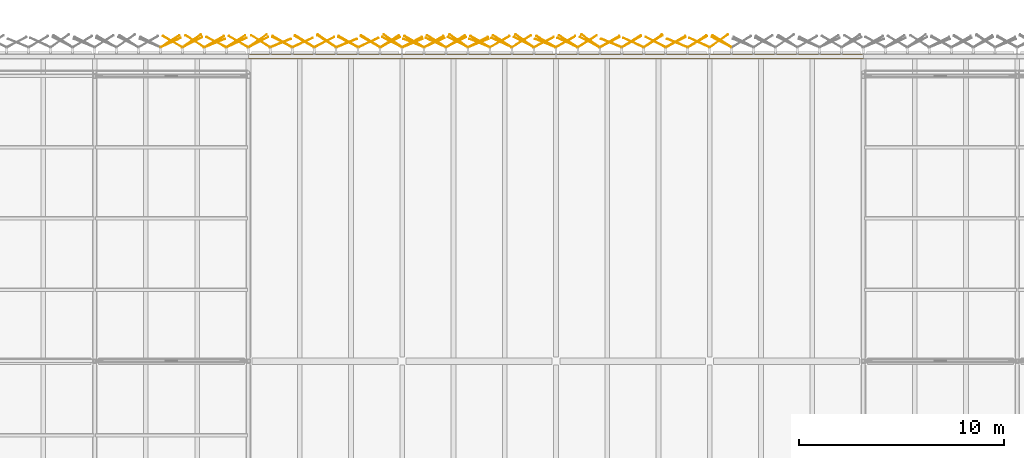
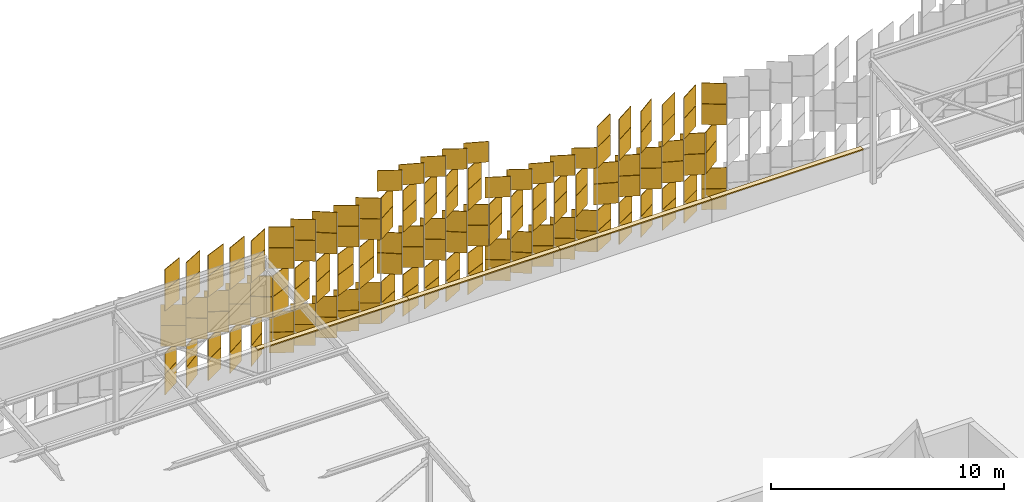
# One storey, part 479 of 483: 160 coverings.
"""IFC4 building model written with IfcOpenShell, lengths in metres."""

from ifc_helpers import new_model, si_unit, direction, frame, origin, origin_2d, place, context, subcontext, project, spatial, polyline, rectangle, outline, extrude, material, layer, layer_set, type_object, element, save


model = new_model("IFC4")

# Units and contexts
model_context = context("Model", 3, precision=1e-05, world=origin(), true_north=direction((0.0, 1.0)))
body_context = subcontext(model_context, "Body", "Model", "MODEL_VIEW")
ifc_project = project(units=[si_unit("LENGTHUNIT", "METRE"), si_unit("AREAUNIT", "SQUARE_METRE"), si_unit("VOLUMEUNIT", "CUBIC_METRE"), si_unit("PLANEANGLEUNIT", "RADIAN"), si_unit("MASSUNIT", "GRAM", prefix="KILO")], contexts=[model_context])

# Site, building, storey
site_placement = place(None, origin())
site = spatial("IfcSite", under=ifc_project, at=site_placement, CompositionType="ELEMENT")
building_placement = place(site_placement, origin())
building = spatial("IfcBuilding", under=site, at=building_placement, Name="Parallax Yard Mobility Hub", CompositionType="ELEMENT")
storey_placement = place(building_placement, frame((0.0, 0.0, 13.199951171875)))
storey = spatial("IfcBuildingStorey", under=building, at=storey_placement, Name="L04", CompositionType="ELEMENT", Elevation=13.199951171875)

# Coverings
ifc_material_1 = material(Name="Concrete fc' 35 MPa", Category="concrete")
ifc_layer_1 = layer(ifc_material_1, 0.06005859375)
ifc_layer_set_1 = layer_set([ifc_layer_1], Name="Parapet coping, Concrete fc' 35 MPa precast, 240")
covering_type_1 = type_object("IfcCoveringType", Name="Parapet coping, Concrete fc' 35 MPa precast, 240", PredefinedType="USERDEFINED", material=ifc_layer_set_1)
covering_1_placement = place(storey_placement, frame((0.0, 0.0, 1.199951171875)))
element("IfcCovering", 1, at=covering_1_placement, inside=storey, type_object=covering_type_1, Name="Parapet coping run 4 part 40", ObjectType="COPING", PredefinedType="USERDEFINED", context=body_context, shape_type="SweptSolid", body=[
    extrude(outline(polyline([(149.999755859375, 142.23388671875), (149.999755859375, 142.47412109375), (142.499755859375, 142.47412109375), (142.499755859375, 142.23388671875), (149.999755859375, 142.23388671875)])), origin(), (0.0, 0.0, 1.0), 0.06005859375),
])
covering_2_placement = place(storey_placement, frame((0.0, 0.0, 1.199951171875)))
element("IfcCovering", 2, at=covering_2_placement, inside=storey, type_object=covering_type_1, Name="Parapet coping run 4 part 41", ObjectType="COPING", PredefinedType="USERDEFINED", context=body_context, shape_type="SweptSolid", body=[
    extrude(outline(polyline([(142.499755859375, 142.23388671875), (142.499755859375, 142.47412109375), (134.999755859375, 142.47412109375), (134.999755859375, 142.23388671875), (142.499755859375, 142.23388671875)])), origin(), (0.0, 0.0, 1.0), 0.06005859375),
])
covering_3_placement = place(storey_placement, frame((0.0, 0.0, 1.199951171875)))
element("IfcCovering", 3, at=covering_3_placement, inside=storey, type_object=covering_type_1, Name="Parapet coping run 4 part 42", ObjectType="COPING", PredefinedType="USERDEFINED", context=body_context, shape_type="SweptSolid", body=[
    extrude(outline(polyline([(134.999755859375, 142.23388671875), (134.999755859375, 142.47412109375), (127.499755859375, 142.47412109375), (127.499755859375, 142.23388671875), (134.999755859375, 142.23388671875)])), origin(), (0.0, 0.0, 1.0), 0.06005859375),
])
covering_4_placement = place(storey_placement, frame((0.0, 0.0, 1.199951171875)))
element("IfcCovering", 4, at=covering_4_placement, inside=storey, type_object=covering_type_1, Name="Parapet coping run 4 part 43", ObjectType="COPING", PredefinedType="USERDEFINED", context=body_context, shape_type="SweptSolid", body=[
    extrude(outline(polyline([(127.499755859375, 142.23388671875), (127.499755859375, 142.47412109375), (119.999755859375, 142.47412109375), (119.999755859375, 142.23388671875), (127.499755859375, 142.23388671875)])), origin(), (0.0, 0.0, 1.0), 0.06005859375),
])
ifc_material_2 = material(Name="Aluminium panel, silver anodised", Category="aluminium")
ifc_layer_2 = layer(ifc_material_2, 0.030029296875)
ifc_layer_set_2 = layer_set([ifc_layer_2], Name="Skin panel 22.5 degree turn, silver anodised")
covering_type_2 = type_object("IfcCoveringType", Name="Skin panel 22.5 degree turn, silver anodised", PredefinedType="CLADDING", material=ifc_layer_set_2)
for number, where, z_axis, x_axis, name in (
    (5, (140.912841796875, 143.012939453125, 2.219970703125), (0.0, 0.0, 1.0), (-0.923879532511, 0.382683432365, 0.0), "Skin panel 22.5 bay 55.2 row 3 level L04"),
    (6, (140.912841796875, 143.012939453125, 3.320068359375), (0.0, 0.0, 1.0), (-0.923879532511, 0.382683432365, 0.0), "Skin panel 22.5 bay 55.2 row 4 level L04"),
    (7, (137.697998046875, 143.012939453125, 2.219970703125), (0.0, 0.0, 1.0), (-0.923879532511, 0.382683432365, 0.0), "Skin panel 22.5 bay 55.5 row 3 level L04"),
    (8, (137.697998046875, 143.012939453125, 3.320068359375), (0.0, 0.0, 1.0), (-0.923879532511, 0.382683432365, 0.0), "Skin panel 22.5 bay 55.5 row 4 level L04"),
    (9, (134.4833984375, 143.012939453125, 4.419921875), (0.0, 0.0, 1.0), (-0.923879532511, 0.382683432365, 0.0), "Skin panel 22.5 bay 56.1 row 5 level L04"),
    (10, (131.22509765625, 143.012939453125, 0.02001953125), (0.0, 0.0, 1.0), (0.923879532511, 0.382683432365, 0.0), "Skin panel 22.5 bay 56.4 row 1 level L04"),
    (11, (131.22509765625, 143.012939453125, 1.1201171875), (0.0, 0.0, 1.0), (0.923879532511, 0.382683432365, 0.0), "Skin panel 22.5 bay 56.4 row 2 level L04"),
    (12, (131.268798828125, 143.012939453125, 6.6201171875), (0.0, 0.0, 1.0), (-0.923879532511, 0.382683432365, 0.0), "Skin panel 22.5 bay 56.4 row 7 level L04"),
    (13, (128.010498046875, 143.012939453125, 0.02001953125), (0.0, 0.0, 1.0), (0.923879532511, 0.382683432365, 0.0), "Skin panel 22.5 bay 56.7 row 1 level L04"),
    (14, (128.010498046875, 143.012939453125, 1.1201171875), (0.0, 0.0, 1.0), (0.923879532511, 0.382683432365, 0.0), "Skin panel 22.5 bay 56.7 row 2 level L04"),
    (15, (128.05419921875, 143.012939453125, 6.6201171875), (0.0, 0.0, 1.0), (-0.923879532511, 0.382683432365, 0.0), "Skin panel 22.5 bay 56.7 row 7 level L04"),
    (16, (124.7958984375, 143.012939453125, 2.219970703125), (0.0, 0.0, 1.0), (0.923879532511, 0.382683432365, 0.0), "Skin panel 22.5 bay 57.3 row 3 level L04"),
    (17, (124.7958984375, 143.012939453125, 3.320068359375), (0.0, 0.0, 1.0), (0.923879532511, 0.382683432365, 0.0), "Skin panel 22.5 bay 57.3 row 4 level L04"),
    (18, (121.581298828125, 143.012939453125, 2.219970703125), (0.0, 0.0, 1.0), (0.923879532511, 0.382683432365, 0.0), "Skin panel 22.5 bay 57.6 row 3 level L04"),
    (19, (121.581298828125, 143.012939453125, 3.320068359375), (0.0, 0.0, 1.0), (0.923879532511, 0.382683432365, 0.0), "Skin panel 22.5 bay 57.6 row 4 level L04"),
    (20, (118.366455078125, 143.012939453125, 4.419921875), (0.0, 0.0, 1.0), (0.923879532511, 0.382683432365, 0.0), "Skin panel 22.5 bay 58.2 row 5 level L04"),
    (21, (118.366455078125, 143.012939453125, 5.52001953125), (0.0, 0.0, 1.0), (0.923879532511, 0.382683432365, 0.0), "Skin panel 22.5 bay 58.2 row 6 level L04"),
):
    element("IfcCovering", number, at=place(storey_placement, frame(where, z_axis=z_axis, x_axis=x_axis)), inside=storey, type_object=covering_type_2, Name=name, ObjectType="SCREEN", PredefinedType="CLADDING", context=body_context, shape_type="SweptSolid", body=[
        extrude(rectangle(XDim=1.080078125, YDim=0.030029296875, at=origin_2d()), origin(), (0.0, 0.0, 1.0), 1.080078125),
    ])
ifc_layer_3 = layer(ifc_material_2, 0.030029296875)
ifc_layer_set_3 = layer_set([ifc_layer_3], Name="Skin panel 25 degree turn, silver anodised")
covering_type_3 = type_object("IfcCoveringType", Name="Skin panel 25 degree turn, silver anodised", PredefinedType="CLADDING", material=ifc_layer_set_3)
for number, where, z_axis, x_axis, name in (
    (22, (141.994140625, 143.03515625, 2.219970703125), (0.0, 0.0, 1.0), (-0.906307787037, 0.422618261741, 0.0), "Skin panel 25 bay 55.1 row 3 level L04"),
    (23, (141.994140625, 143.03515625, 3.320068359375), (0.0, 0.0, 1.0), (-0.906307787037, 0.422618261741, 0.0), "Skin panel 25 bay 55.1 row 4 level L04"),
    (24, (138.779296875, 143.03515625, 2.219970703125), (0.0, 0.0, 1.0), (-0.906307787037, 0.422618261741, 0.0), "Skin panel 25 bay 55.4 row 3 level L04"),
    (25, (138.779296875, 143.03515625, 3.320068359375), (0.0, 0.0, 1.0), (-0.906307787037, 0.422618261741, 0.0), "Skin panel 25 bay 55.4 row 4 level L04"),
    (26, (135.564697265625, 143.03515625, 4.419921875), (0.0, 0.0, 1.0), (-0.906307787037, 0.422618261741, 0.0), "Skin panel 25 bay 55.7 row 5 level L04"),
    (27, (132.35009765625, 143.03515625, 4.419921875), (0.0, 0.0, 1.0), (-0.906307787037, 0.422618261741, 0.0), "Skin panel 25 bay 56.3 row 5 level L04"),
    (28, (129.072265625, 143.03515625, 0.02001953125), (0.0, 0.0, 1.0), (0.906307787037, 0.422618261741, 0.0), "Skin panel 25 bay 56.6 row 1 level L04"),
    (29, (129.072265625, 143.03515625, 1.1201171875), (0.0, 0.0, 1.0), (0.906307787037, 0.422618261741, 0.0), "Skin panel 25 bay 56.6 row 2 level L04"),
    (30, (129.135498046875, 143.03515625, 6.6201171875), (0.0, 0.0, 1.0), (-0.906307787037, 0.422618261741, 0.0), "Skin panel 25 bay 56.6 row 7 level L04"),
    (31, (125.857666015625, 143.03515625, 2.219970703125), (0.0, 0.0, 1.0), (0.906307787037, 0.422618261741, 0.0), "Skin panel 25 bay 57.2 row 3 level L04"),
    (32, (125.857666015625, 143.03515625, 3.320068359375), (0.0, 0.0, 1.0), (0.906307787037, 0.422618261741, 0.0), "Skin panel 25 bay 57.2 row 4 level L04"),
    (33, (122.64306640625, 143.03515625, 2.219970703125), (0.0, 0.0, 1.0), (0.906307787037, 0.422618261741, 0.0), "Skin panel 25 bay 57.5 row 3 level L04"),
    (34, (122.64306640625, 143.03515625, 3.320068359375), (0.0, 0.0, 1.0), (0.906307787037, 0.422618261741, 0.0), "Skin panel 25 bay 57.5 row 4 level L04"),
    (35, (119.42822265625, 143.03515625, 4.419921875), (0.0, 0.0, 1.0), (0.906307787037, 0.422618261741, 0.0), "Skin panel 25 bay 58.1 row 5 level L04"),
    (36, (119.42822265625, 143.03515625, 5.52001953125), (0.0, 0.0, 1.0), (0.906307787037, 0.422618261741, 0.0), "Skin panel 25 bay 58.1 row 6 level L04"),
    (37, (116.213623046875, 143.03515625, 4.419921875), (0.0, 0.0, 1.0), (0.906307787037, 0.422618261741, 0.0), "Skin panel 25 bay 58.4 row 5 level L04"),
    (38, (116.213623046875, 143.03515625, 5.52001953125), (0.0, 0.0, 1.0), (0.906307787037, 0.422618261741, 0.0), "Skin panel 25 bay 58.4 row 6 level L04"),
):
    element("IfcCovering", number, at=place(storey_placement, frame(where, z_axis=z_axis, x_axis=x_axis)), inside=storey, type_object=covering_type_3, Name=name, ObjectType="SCREEN", PredefinedType="CLADDING", context=body_context, shape_type="SweptSolid", body=[
        extrude(rectangle(XDim=1.080078125, YDim=0.030029296875, at=origin_2d()), origin(), (0.0, 0.0, 1.0), 1.080078125),
    ])
ifc_layer_4 = layer(ifc_material_2, 0.030029296875)
ifc_layer_set_4 = layer_set([ifc_layer_4], Name="Skin panel 27.5 degree turn, silver anodised")
covering_type_4 = type_object("IfcCoveringType", Name="Skin panel 27.5 degree turn, silver anodised", PredefinedType="CLADDING", material=ifc_layer_set_4)
for number, where, z_axis, x_axis, name in (
    (39, (143.076416015625, 143.056884765625, 0.02001953125), (0.0, 0.0, 1.0), (-0.887010833178, 0.461748613235, 0.0), "Skin panel 27.5 bay 54.7 row 1 level L04"),
    (40, (143.076416015625, 143.056884765625, 1.1201171875), (0.0, 0.0, 1.0), (-0.887010833178, 0.461748613235, 0.0), "Skin panel 27.5 bay 54.7 row 2 level L04"),
    (41, (140.8486328125, 143.056884765625, 0.02001953125), (0.0, 0.0, 1.0), (0.887010833178, 0.461748613235, 0.0), "Skin panel 27.5 bay 55.2 row 1 level L04"),
    (42, (140.8486328125, 143.056884765625, 1.1201171875), (0.0, 0.0, 1.0), (0.887010833178, 0.461748613235, 0.0), "Skin panel 27.5 bay 55.2 row 2 level L04"),
    (43, (139.86181640625, 143.056884765625, 2.219970703125), (0.0, 0.0, 1.0), (-0.887010833178, 0.461748613235, 0.0), "Skin panel 27.5 bay 55.3 row 3 level L04"),
    (44, (139.86181640625, 143.056884765625, 3.320068359375), (0.0, 0.0, 1.0), (-0.887010833178, 0.461748613235, 0.0), "Skin panel 27.5 bay 55.3 row 4 level L04"),
    (45, (137.634033203125, 143.056884765625, 0.02001953125), (0.0, 0.0, 1.0), (0.887010833178, 0.461748613235, 0.0), "Skin panel 27.5 bay 55.5 row 1 level L04"),
    (46, (137.634033203125, 143.056884765625, 1.1201171875), (0.0, 0.0, 1.0), (0.887010833178, 0.461748613235, 0.0), "Skin panel 27.5 bay 55.5 row 2 level L04"),
    (47, (136.64697265625, 143.056884765625, 4.419921875), (0.0, 0.0, 1.0), (-0.887010833178, 0.461748613235, 0.0), "Skin panel 27.5 bay 55.6 row 5 level L04"),
    (48, (134.41943359375, 143.056884765625, 2.219970703125), (0.0, 0.0, 1.0), (0.887010833178, 0.461748613235, 0.0), "Skin panel 27.5 bay 56.1 row 3 level L04"),
    (49, (134.41943359375, 143.056884765625, 3.320068359375), (0.0, 0.0, 1.0), (0.887010833178, 0.461748613235, 0.0), "Skin panel 27.5 bay 56.1 row 4 level L04"),
    (50, (133.432373046875, 143.056884765625, 4.419921875), (0.0, 0.0, 1.0), (-0.887010833178, 0.461748613235, 0.0), "Skin panel 27.5 bay 56.2 row 5 level L04"),
    (51, (131.20458984375, 143.056884765625, 4.419921875), (0.0, 0.0, 1.0), (0.887010833178, 0.461748613235, 0.0), "Skin panel 27.5 bay 56.4 row 5 level L04"),
    (52, (131.20458984375, 143.056884765625, 5.52001953125), (0.0, 0.0, 1.0), (0.887010833178, 0.461748613235, 0.0), "Skin panel 27.5 bay 56.4 row 6 level L04"),
    (53, (130.133056640625, 143.056884765625, 0.02001953125), (0.0, 0.0, 1.0), (0.887010833178, 0.461748613235, 0.0), "Skin panel 27.5 bay 56.5 row 1 level L04"),
    (54, (130.133056640625, 143.056884765625, 1.1201171875), (0.0, 0.0, 1.0), (0.887010833178, 0.461748613235, 0.0), "Skin panel 27.5 bay 56.5 row 2 level L04"),
    (55, (130.2177734375, 143.056884765625, 6.6201171875), (0.0, 0.0, 1.0), (-0.887010833178, 0.461748613235, 0.0), "Skin panel 27.5 bay 56.5 row 7 level L04"),
    (56, (127.989990234375, 143.056884765625, 4.419921875), (0.0, 0.0, 1.0), (0.887010833178, 0.461748613235, 0.0), "Skin panel 27.5 bay 56.7 row 5 level L04"),
    (57, (127.989990234375, 143.056884765625, 5.52001953125), (0.0, 0.0, 1.0), (0.887010833178, 0.461748613235, 0.0), "Skin panel 27.5 bay 56.7 row 6 level L04"),
    (58, (126.91845703125, 143.056884765625, 0.02001953125), (0.0, 0.0, 1.0), (0.887010833178, 0.461748613235, 0.0), "Skin panel 27.5 bay 57.1 row 1 level L04"),
    (59, (126.91845703125, 143.056884765625, 1.1201171875), (0.0, 0.0, 1.0), (0.887010833178, 0.461748613235, 0.0), "Skin panel 27.5 bay 57.1 row 2 level L04"),
    (60, (127.003173828125, 143.056884765625, 6.6201171875), (0.0, 0.0, 1.0), (-0.887010833178, 0.461748613235, 0.0), "Skin panel 27.5 bay 57.1 row 7 level L04"),
    (61, (124.85986328125, 143.056884765625, 0.02001953125), (0.0, 0.0, 1.0), (-0.887010833178, 0.461748613235, 0.0), "Skin panel 27.5 bay 57.3 row 1 level L04"),
    (62, (124.85986328125, 143.056884765625, 1.1201171875), (0.0, 0.0, 1.0), (-0.887010833178, 0.461748613235, 0.0), "Skin panel 27.5 bay 57.3 row 2 level L04"),
    (63, (123.703857421875, 143.056884765625, 2.219970703125), (0.0, 0.0, 1.0), (0.887010833178, 0.461748613235, 0.0), "Skin panel 27.5 bay 57.4 row 3 level L04"),
    (64, (123.703857421875, 143.056884765625, 3.320068359375), (0.0, 0.0, 1.0), (0.887010833178, 0.461748613235, 0.0), "Skin panel 27.5 bay 57.4 row 4 level L04"),
    (65, (121.645263671875, 143.056884765625, 0.02001953125), (0.0, 0.0, 1.0), (-0.887010833178, 0.461748613235, 0.0), "Skin panel 27.5 bay 57.6 row 1 level L04"),
    (66, (121.645263671875, 143.056884765625, 1.1201171875), (0.0, 0.0, 1.0), (-0.887010833178, 0.461748613235, 0.0), "Skin panel 27.5 bay 57.6 row 2 level L04"),
    (67, (120.489013671875, 143.056884765625, 4.419921875), (0.0, 0.0, 1.0), (0.887010833178, 0.461748613235, 0.0), "Skin panel 27.5 bay 57.7 row 5 level L04"),
    (68, (120.489013671875, 143.056884765625, 5.52001953125), (0.0, 0.0, 1.0), (0.887010833178, 0.461748613235, 0.0), "Skin panel 27.5 bay 57.7 row 6 level L04"),
    (69, (118.4306640625, 143.056884765625, 2.219970703125), (0.0, 0.0, 1.0), (-0.887010833178, 0.461748613235, 0.0), "Skin panel 27.5 bay 58.2 row 3 level L04"),
    (70, (118.4306640625, 143.056884765625, 3.320068359375), (0.0, 0.0, 1.0), (-0.887010833178, 0.461748613235, 0.0), "Skin panel 27.5 bay 58.2 row 4 level L04"),
    (71, (117.2744140625, 143.056884765625, 4.419921875), (0.0, 0.0, 1.0), (0.887010833178, 0.461748613235, 0.0), "Skin panel 27.5 bay 58.3 row 5 level L04"),
    (72, (117.2744140625, 143.056884765625, 5.52001953125), (0.0, 0.0, 1.0), (0.887010833178, 0.461748613235, 0.0), "Skin panel 27.5 bay 58.3 row 6 level L04"),
):
    element("IfcCovering", number, at=place(storey_placement, frame(where, z_axis=z_axis, x_axis=x_axis)), inside=storey, type_object=covering_type_4, Name=name, ObjectType="SCREEN", PredefinedType="CLADDING", context=body_context, shape_type="SweptSolid", body=[
        extrude(rectangle(XDim=1.080078125, YDim=0.030029296875, at=origin_2d()), origin(), (0.0, 0.0, 1.0), 1.080078125),
    ])
ifc_layer_5 = layer(ifc_material_2, 0.030029296875)
ifc_layer_set_5 = layer_set([ifc_layer_5], Name="Skin panel 30 degree turn, silver anodised")
covering_type_5 = type_object("IfcCoveringType", Name="Skin panel 30 degree turn, silver anodised", PredefinedType="CLADDING", material=ifc_layer_set_5)
for number, where, z_axis, x_axis, name in (
    (73, (141.90869140625, 143.078125, 0.02001953125), (0.0, 0.0, 1.0), (0.866025403784, 0.5, 0.0), "Skin panel 30 bay 55.1 row 1 level L04"),
    (74, (141.90869140625, 143.078125, 1.1201171875), (0.0, 0.0, 1.0), (0.866025403784, 0.5, 0.0), "Skin panel 30 bay 55.1 row 2 level L04"),
    (75, (140.8369140625, 143.078125, 4.419921875), (0.0, 0.0, 1.0), (0.866025403784, 0.5, 0.0), "Skin panel 30 bay 55.2 row 5 level L04"),
    (76, (140.8369140625, 143.078125, 5.52001953125), (0.0, 0.0, 1.0), (0.866025403784, 0.5, 0.0), "Skin panel 30 bay 55.2 row 6 level L04"),
    (77, (138.69384765625, 143.078125, 0.02001953125), (0.0, 0.0, 1.0), (0.866025403784, 0.5, 0.0), "Skin panel 30 bay 55.4 row 1 level L04"),
    (78, (138.69384765625, 143.078125, 1.1201171875), (0.0, 0.0, 1.0), (0.866025403784, 0.5, 0.0), "Skin panel 30 bay 55.4 row 2 level L04"),
    (79, (137.622314453125, 143.078125, 4.419921875), (0.0, 0.0, 1.0), (0.866025403784, 0.5, 0.0), "Skin panel 30 bay 55.5 row 5 level L04"),
    (80, (137.622314453125, 143.078125, 5.52001953125), (0.0, 0.0, 1.0), (0.866025403784, 0.5, 0.0), "Skin panel 30 bay 55.5 row 6 level L04"),
    (81, (135.479248046875, 143.078125, 2.219970703125), (0.0, 0.0, 1.0), (0.866025403784, 0.5, 0.0), "Skin panel 30 bay 55.7 row 3 level L04"),
    (82, (135.479248046875, 143.078125, 3.320068359375), (0.0, 0.0, 1.0), (0.866025403784, 0.5, 0.0), "Skin panel 30 bay 55.7 row 4 level L04"),
    (83, (134.515625, 143.078125, 0.02001953125), (0.0, 0.0, 1.0), (-0.866025403784, 0.5, 0.0), "Skin panel 30 bay 56.1 row 1 level L04"),
    (84, (134.515625, 143.078125, 1.1201171875), (0.0, 0.0, 1.0), (-0.866025403784, 0.5, 0.0), "Skin panel 30 bay 56.1 row 2 level L04"),
    (85, (132.2646484375, 143.078125, 2.219970703125), (0.0, 0.0, 1.0), (0.866025403784, 0.5, 0.0), "Skin panel 30 bay 56.3 row 3 level L04"),
    (86, (132.2646484375, 143.078125, 3.320068359375), (0.0, 0.0, 1.0), (0.866025403784, 0.5, 0.0), "Skin panel 30 bay 56.3 row 4 level L04"),
    (87, (131.30078125, 143.078125, 2.219970703125), (0.0, 0.0, 1.0), (-0.866025403784, 0.5, 0.0), "Skin panel 30 bay 56.4 row 3 level L04"),
    (88, (131.30078125, 143.078125, 3.320068359375), (0.0, 0.0, 1.0), (-0.866025403784, 0.5, 0.0), "Skin panel 30 bay 56.4 row 4 level L04"),
    (89, (129.0498046875, 143.078125, 4.419921875), (0.0, 0.0, 1.0), (0.866025403784, 0.5, 0.0), "Skin panel 30 bay 56.6 row 5 level L04"),
    (90, (129.0498046875, 143.078125, 5.52001953125), (0.0, 0.0, 1.0), (0.866025403784, 0.5, 0.0), "Skin panel 30 bay 56.6 row 6 level L04"),
    (91, (128.086181640625, 143.078125, 2.219970703125), (0.0, 0.0, 1.0), (-0.866025403784, 0.5, 0.0), "Skin panel 30 bay 56.7 row 3 level L04"),
    (92, (128.086181640625, 143.078125, 3.320068359375), (0.0, 0.0, 1.0), (-0.866025403784, 0.5, 0.0), "Skin panel 30 bay 56.7 row 4 level L04"),
    (93, (125.943115234375, 143.078125, 0.02001953125), (0.0, 0.0, 1.0), (-0.866025403784, 0.5, 0.0), "Skin panel 30 bay 57.2 row 1 level L04"),
    (94, (125.943115234375, 143.078125, 1.1201171875), (0.0, 0.0, 1.0), (-0.866025403784, 0.5, 0.0), "Skin panel 30 bay 57.2 row 2 level L04"),
    (95, (124.87158203125, 143.078125, 4.419921875), (0.0, 0.0, 1.0), (-0.866025403784, 0.5, 0.0), "Skin panel 30 bay 57.3 row 5 level L04"),
    (96, (124.87158203125, 143.078125, 5.52001953125), (0.0, 0.0, 1.0), (-0.866025403784, 0.5, 0.0), "Skin panel 30 bay 57.3 row 6 level L04"),
    (97, (122.728515625, 143.078125, 0.02001953125), (0.0, 0.0, 1.0), (-0.866025403784, 0.5, 0.0), "Skin panel 30 bay 57.5 row 1 level L04"),
    (98, (122.728515625, 143.078125, 1.1201171875), (0.0, 0.0, 1.0), (-0.866025403784, 0.5, 0.0), "Skin panel 30 bay 57.5 row 2 level L04"),
    (99, (121.656982421875, 143.078125, 4.419921875), (0.0, 0.0, 1.0), (-0.866025403784, 0.5, 0.0), "Skin panel 30 bay 57.6 row 5 level L04"),
    (100, (121.656982421875, 143.078125, 5.52001953125), (0.0, 0.0, 1.0), (-0.866025403784, 0.5, 0.0), "Skin panel 30 bay 57.6 row 6 level L04"),
    (101, (119.513916015625, 143.078125, 2.219970703125), (0.0, 0.0, 1.0), (-0.866025403784, 0.5, 0.0), "Skin panel 30 bay 58.1 row 3 level L04"),
    (102, (119.513916015625, 143.078125, 3.320068359375), (0.0, 0.0, 1.0), (-0.866025403784, 0.5, 0.0), "Skin panel 30 bay 58.1 row 4 level L04"),
    (103, (118.33447265625, 143.078125, 0.02001953125), (0.0, 0.0, 1.0), (0.866025403784, 0.5, 0.0), "Skin panel 30 bay 58.2 row 1 level L04"),
    (104, (118.33447265625, 143.078125, 1.1201171875), (0.0, 0.0, 1.0), (0.866025403784, 0.5, 0.0), "Skin panel 30 bay 58.2 row 2 level L04"),
    (105, (116.29931640625, 143.078125, 2.219970703125), (0.0, 0.0, 1.0), (-0.866025403784, 0.5, 0.0), "Skin panel 30 bay 58.4 row 3 level L04"),
    (106, (116.29931640625, 143.078125, 3.320068359375), (0.0, 0.0, 1.0), (-0.866025403784, 0.5, 0.0), "Skin panel 30 bay 58.4 row 4 level L04"),
):
    element("IfcCovering", number, at=place(storey_placement, frame(where, z_axis=z_axis, x_axis=x_axis)), inside=storey, type_object=covering_type_5, Name=name, ObjectType="SCREEN", PredefinedType="CLADDING", context=body_context, shape_type="SweptSolid", body=[
        extrude(rectangle(XDim=1.080078125, YDim=0.030029296875, at=origin_2d()), origin(), (0.0, 0.0, 1.0), 1.080078125),
    ])
ifc_layer_6 = layer(ifc_material_2, 0.030029296875)
ifc_layer_set_6 = layer_set([ifc_layer_6], Name="Skin panel 32.5 degree turn, silver anodised")
covering_type_6 = type_object("IfcCoveringType", Name="Skin panel 32.5 degree turn, silver anodised", PredefinedType="CLADDING", material=ifc_layer_set_6)
for number, where, z_axis, x_axis, name in (
    (107, (143.1005859375, 143.098876953125, 4.419921875), (0.0, 0.0, 1.0), (-0.843391445813, 0.537299608347, 0.0), "Skin panel 32.5 bay 54.7 row 5 level L04"),
    (108, (143.1005859375, 143.098876953125, 5.52001953125), (0.0, 0.0, 1.0), (-0.843391445813, 0.537299608347, 0.0), "Skin panel 32.5 bay 54.7 row 6 level L04"),
    (109, (141.89599609375, 143.098876953125, 4.419921875), (0.0, 0.0, 1.0), (0.843391445813, 0.537299608347, 0.0), "Skin panel 32.5 bay 55.1 row 5 level L04"),
    (110, (141.89599609375, 143.098876953125, 5.52001953125), (0.0, 0.0, 1.0), (0.843391445813, 0.537299608347, 0.0), "Skin panel 32.5 bay 55.1 row 6 level L04"),
    (111, (139.7529296875, 143.098876953125, 0.02001953125), (0.0, 0.0, 1.0), (0.843391445813, 0.537299608347, 0.0), "Skin panel 32.5 bay 55.3 row 1 level L04"),
    (112, (139.7529296875, 143.098876953125, 1.1201171875), (0.0, 0.0, 1.0), (0.843391445813, 0.537299608347, 0.0), "Skin panel 32.5 bay 55.3 row 2 level L04"),
    (113, (138.681396484375, 143.098876953125, 4.419921875), (0.0, 0.0, 1.0), (0.843391445813, 0.537299608347, 0.0), "Skin panel 32.5 bay 55.4 row 5 level L04"),
    (114, (138.681396484375, 143.098876953125, 5.52001953125), (0.0, 0.0, 1.0), (0.843391445813, 0.537299608347, 0.0), "Skin panel 32.5 bay 55.4 row 6 level L04"),
    (115, (136.5380859375, 143.098876953125, 2.219970703125), (0.0, 0.0, 1.0), (0.843391445813, 0.537299608347, 0.0), "Skin panel 32.5 bay 55.6 row 3 level L04"),
    (116, (136.5380859375, 143.098876953125, 3.320068359375), (0.0, 0.0, 1.0), (0.843391445813, 0.537299608347, 0.0), "Skin panel 32.5 bay 55.6 row 4 level L04"),
    (117, (135.599853515625, 143.098876953125, 0.02001953125), (0.0, 0.0, 1.0), (-0.843391445813, 0.537299608347, 0.0), "Skin panel 32.5 bay 55.7 row 1 level L04"),
    (118, (135.599853515625, 143.098876953125, 1.1201171875), (0.0, 0.0, 1.0), (-0.843391445813, 0.537299608347, 0.0), "Skin panel 32.5 bay 55.7 row 2 level L04"),
    (119, (133.323486328125, 143.098876953125, 2.219970703125), (0.0, 0.0, 1.0), (0.843391445813, 0.537299608347, 0.0), "Skin panel 32.5 bay 56.2 row 3 level L04"),
    (120, (133.323486328125, 143.098876953125, 3.320068359375), (0.0, 0.0, 1.0), (0.843391445813, 0.537299608347, 0.0), "Skin panel 32.5 bay 56.2 row 4 level L04"),
    (121, (132.385009765625, 143.098876953125, 0.02001953125), (0.0, 0.0, 1.0), (-0.843391445813, 0.537299608347, 0.0), "Skin panel 32.5 bay 56.3 row 1 level L04"),
    (122, (132.385009765625, 143.098876953125, 1.1201171875), (0.0, 0.0, 1.0), (-0.843391445813, 0.537299608347, 0.0), "Skin panel 32.5 bay 56.3 row 2 level L04"),
    (123, (130.10888671875, 143.098876953125, 4.419921875), (0.0, 0.0, 1.0), (0.843391445813, 0.537299608347, 0.0), "Skin panel 32.5 bay 56.5 row 5 level L04"),
    (124, (130.10888671875, 143.098876953125, 5.52001953125), (0.0, 0.0, 1.0), (0.843391445813, 0.537299608347, 0.0), "Skin panel 32.5 bay 56.5 row 6 level L04"),
    (125, (129.17041015625, 143.098876953125, 2.219970703125), (0.0, 0.0, 1.0), (-0.843391445813, 0.537299608347, 0.0), "Skin panel 32.5 bay 56.6 row 3 level L04"),
    (126, (129.17041015625, 143.098876953125, 3.320068359375), (0.0, 0.0, 1.0), (-0.843391445813, 0.537299608347, 0.0), "Skin panel 32.5 bay 56.6 row 4 level L04"),
    (127, (126.894287109375, 143.098876953125, 4.419921875), (0.0, 0.0, 1.0), (0.843391445813, 0.537299608347, 0.0), "Skin panel 32.5 bay 57.1 row 5 level L04"),
    (128, (126.894287109375, 143.098876953125, 5.52001953125), (0.0, 0.0, 1.0), (0.843391445813, 0.537299608347, 0.0), "Skin panel 32.5 bay 57.1 row 6 level L04"),
    (129, (125.955810546875, 143.098876953125, 4.419921875), (0.0, 0.0, 1.0), (-0.843391445813, 0.537299608347, 0.0), "Skin panel 32.5 bay 57.2 row 5 level L04"),
    (130, (125.955810546875, 143.098876953125, 5.52001953125), (0.0, 0.0, 1.0), (-0.843391445813, 0.537299608347, 0.0), "Skin panel 32.5 bay 57.2 row 6 level L04"),
    (131, (123.812744140625, 143.098876953125, 0.02001953125), (0.0, 0.0, 1.0), (-0.843391445813, 0.537299608347, 0.0), "Skin panel 32.5 bay 57.4 row 1 level L04"),
    (132, (123.812744140625, 143.098876953125, 1.1201171875), (0.0, 0.0, 1.0), (-0.843391445813, 0.537299608347, 0.0), "Skin panel 32.5 bay 57.4 row 2 level L04"),
    (133, (122.7412109375, 143.098876953125, 4.419921875), (0.0, 0.0, 1.0), (-0.843391445813, 0.537299608347, 0.0), "Skin panel 32.5 bay 57.5 row 5 level L04"),
    (134, (122.7412109375, 143.098876953125, 5.52001953125), (0.0, 0.0, 1.0), (-0.843391445813, 0.537299608347, 0.0), "Skin panel 32.5 bay 57.5 row 6 level L04"),
    (135, (120.597900390625, 143.098876953125, 2.219970703125), (0.0, 0.0, 1.0), (-0.843391445813, 0.537299608347, 0.0), "Skin panel 32.5 bay 57.7 row 3 level L04"),
    (136, (120.597900390625, 143.098876953125, 3.320068359375), (0.0, 0.0, 1.0), (-0.843391445813, 0.537299608347, 0.0), "Skin panel 32.5 bay 57.7 row 4 level L04"),
    (137, (119.393310546875, 143.098876953125, 0.02001953125), (0.0, 0.0, 1.0), (0.843391445813, 0.537299608347, 0.0), "Skin panel 32.5 bay 58.1 row 1 level L04"),
    (138, (119.393310546875, 143.098876953125, 1.1201171875), (0.0, 0.0, 1.0), (0.843391445813, 0.537299608347, 0.0), "Skin panel 32.5 bay 58.1 row 2 level L04"),
    (139, (117.38330078125, 143.098876953125, 2.219970703125), (0.0, 0.0, 1.0), (-0.843391445813, 0.537299608347, 0.0), "Skin panel 32.5 bay 58.3 row 3 level L04"),
    (140, (117.38330078125, 143.098876953125, 3.320068359375), (0.0, 0.0, 1.0), (-0.843391445813, 0.537299608347, 0.0), "Skin panel 32.5 bay 58.3 row 4 level L04"),
    (141, (116.1787109375, 143.098876953125, 0.02001953125), (0.0, 0.0, 1.0), (0.843391445813, 0.537299608347, 0.0), "Skin panel 32.5 bay 58.4 row 1 level L04"),
    (142, (116.1787109375, 143.098876953125, 1.1201171875), (0.0, 0.0, 1.0), (0.843391445813, 0.537299608347, 0.0), "Skin panel 32.5 bay 58.4 row 2 level L04"),
):
    element("IfcCovering", number, at=place(storey_placement, frame(where, z_axis=z_axis, x_axis=x_axis)), inside=storey, type_object=covering_type_6, Name=name, ObjectType="SCREEN", PredefinedType="CLADDING", context=body_context, shape_type="SweptSolid", body=[
        extrude(rectangle(XDim=1.080078125, YDim=0.030029296875, at=origin_2d()), origin(), (0.0, 0.0, 1.0), 1.080078125),
    ])
ifc_layer_7 = layer(ifc_material_2, 0.030029296875)
ifc_layer_set_7 = layer_set([ifc_layer_7], Name="Skin panel 35 degree turn, silver anodised")
covering_type_7 = type_object("IfcCoveringType", Name="Skin panel 35 degree turn, silver anodised", PredefinedType="CLADDING", material=ifc_layer_set_7)
for number, where, z_axis, x_axis, name in (
    (143, (142.9541015625, 143.119140625, 2.219970703125), (0.0, 0.0, 1.0), (0.819152044289, 0.573576436351, 0.0), "Skin panel 35 bay 54.7 row 3 level L04"),
    (144, (142.9541015625, 143.119140625, 3.320068359375), (0.0, 0.0, 1.0), (0.819152044289, 0.573576436351, 0.0), "Skin panel 35 bay 54.7 row 4 level L04"),
    (145, (139.739501953125, 143.119140625, 4.419921875), (0.0, 0.0, 1.0), (0.819152044289, 0.573576436351, 0.0), "Skin panel 35 bay 55.3 row 5 level L04"),
    (146, (139.739501953125, 143.119140625, 5.52001953125), (0.0, 0.0, 1.0), (0.819152044289, 0.573576436351, 0.0), "Skin panel 35 bay 55.3 row 6 level L04"),
    (147, (136.684814453125, 143.119140625, 0.02001953125), (0.0, 0.0, 1.0), (-0.819152044289, 0.573576436351, 0.0), "Skin panel 35 bay 55.6 row 1 level L04"),
    (148, (136.684814453125, 143.119140625, 1.1201171875), (0.0, 0.0, 1.0), (-0.819152044289, 0.573576436351, 0.0), "Skin panel 35 bay 55.6 row 2 level L04"),
    (149, (133.47021484375, 143.119140625, 0.02001953125), (0.0, 0.0, 1.0), (-0.819152044289, 0.573576436351, 0.0), "Skin panel 35 bay 56.2 row 1 level L04"),
    (150, (133.47021484375, 143.119140625, 1.1201171875), (0.0, 0.0, 1.0), (-0.819152044289, 0.573576436351, 0.0), "Skin panel 35 bay 56.2 row 2 level L04"),
    (151, (130.255615234375, 143.119140625, 2.219970703125), (0.0, 0.0, 1.0), (-0.819152044289, 0.573576436351, 0.0), "Skin panel 35 bay 56.5 row 3 level L04"),
    (152, (130.255615234375, 143.119140625, 3.320068359375), (0.0, 0.0, 1.0), (-0.819152044289, 0.573576436351, 0.0), "Skin panel 35 bay 56.5 row 4 level L04"),
    (153, (127.040771484375, 143.119140625, 2.219970703125), (0.0, 0.0, 1.0), (-0.819152044289, 0.573576436351, 0.0), "Skin panel 35 bay 57.1 row 3 level L04"),
    (154, (127.040771484375, 143.119140625, 3.320068359375), (0.0, 0.0, 1.0), (-0.819152044289, 0.573576436351, 0.0), "Skin panel 35 bay 57.1 row 4 level L04"),
    (155, (123.826171875, 143.119140625, 4.419921875), (0.0, 0.0, 1.0), (-0.819152044289, 0.573576436351, 0.0), "Skin panel 35 bay 57.4 row 5 level L04"),
    (156, (123.826171875, 143.119140625, 5.52001953125), (0.0, 0.0, 1.0), (-0.819152044289, 0.573576436351, 0.0), "Skin panel 35 bay 57.4 row 6 level L04"),
    (157, (120.451416015625, 143.119140625, 0.02001953125), (0.0, 0.0, 1.0), (0.819152044289, 0.573576436351, 0.0), "Skin panel 35 bay 57.7 row 1 level L04"),
    (158, (120.451416015625, 143.119140625, 1.1201171875), (0.0, 0.0, 1.0), (0.819152044289, 0.573576436351, 0.0), "Skin panel 35 bay 57.7 row 2 level L04"),
    (159, (117.23681640625, 143.119140625, 0.02001953125), (0.0, 0.0, 1.0), (0.819152044289, 0.573576436351, 0.0), "Skin panel 35 bay 58.3 row 1 level L04"),
    (160, (117.23681640625, 143.119140625, 1.1201171875), (0.0, 0.0, 1.0), (0.819152044289, 0.573576436351, 0.0), "Skin panel 35 bay 58.3 row 2 level L04"),
):
    element("IfcCovering", number, at=place(storey_placement, frame(where, z_axis=z_axis, x_axis=x_axis)), inside=storey, type_object=covering_type_7, Name=name, ObjectType="SCREEN", PredefinedType="CLADDING", context=body_context, shape_type="SweptSolid", body=[
        extrude(rectangle(XDim=1.080078125, YDim=0.030029296875, at=origin_2d()), origin(), (0.0, 0.0, 1.0), 1.080078125),
    ])

save(model, "model.ifc")
